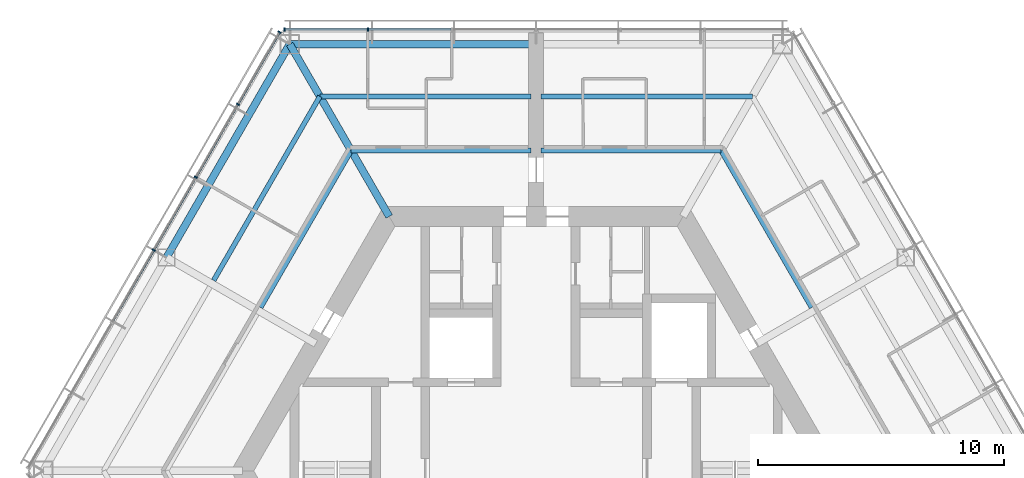
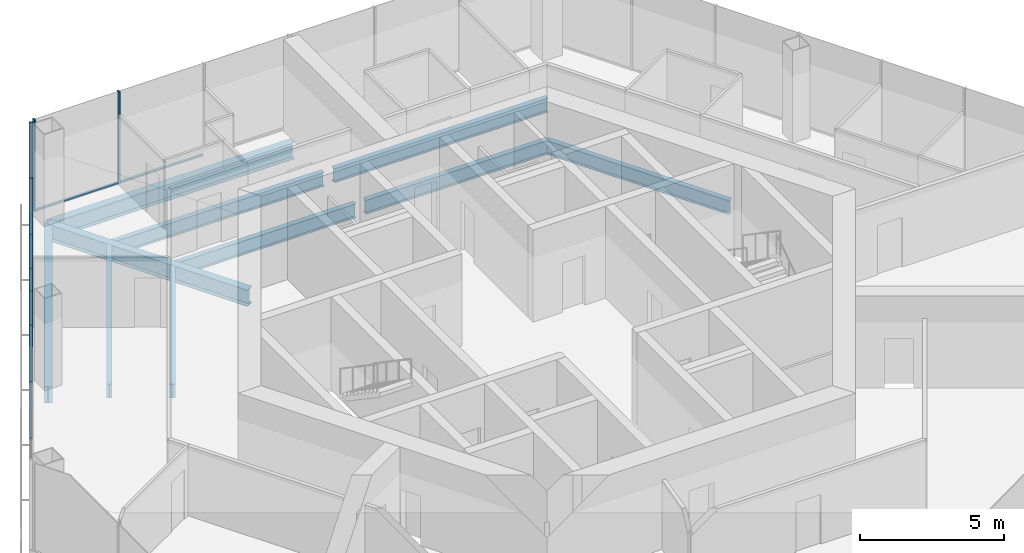
# One storey, part 6 of 15: 12 members, 10 beams, 2 elements without a shape of their own.
"""IFC4 building model written with IfcOpenShell, lengths in metres."""

import ifcopenshell
import ifcopenshell.guid

model = None  # the IFC model being written
_history = None  # IfcOwnerHistory: only IFC2X3 demands one
_inside = {}  # id of a spatial element -> (the spatial element, [elements in it])
_under = {}  # id of a project, library or spatial element -> (it, [spatial elements below it])
_declared = {}  # id of a project -> (the project, [libraries it declares])
_typed = {}  # id of a type object -> (the type object, [elements of that type])
_made_of = {}  # id of a material, layer set ... -> (it, [elements and type objects made of it])


def new_model(schema):
    """Start an empty IFC model of exactly this schema.

    Asked for "IFC4X3", IfcOpenShell would pick the latest addendum, in which some entities
    have other attributes; the version numbers below select the first issue.
    IFC2X3 requires an IfcOwnerHistory on every rooted entity: one is made here for all.
    """
    global model, _history
    if schema == "IFC4X3":
        model = ifcopenshell.file(schema_version=(4, 3, 0, 0))
    else:
        model = ifcopenshell.file(schema=schema)
    _inside.clear()
    _under.clear()
    _declared.clear()
    _typed.clear()
    _made_of.clear()
    _history = None
    if model.schema == "IFC2X3":
        org = make("IfcOrganization", Name="unknown")
        user = make(
            "IfcPersonAndOrganization",
            ThePerson=make("IfcPerson", FamilyName="unknown"),
            TheOrganization=org,
        )
        app = make(
            "IfcApplication",
            ApplicationDeveloper=org,
            Version="unknown",
            ApplicationFullName="unknown",
            ApplicationIdentifier="unknown",
        )
        _history = make(
            "IfcOwnerHistory",
            OwningUser=user,
            OwningApplication=app,
            ChangeAction="ADDED",
            CreationDate=0,
        )
    return model


def make(cls, **values):
    """One entity of the class cls with the attributes given. An attribute that is None is left unset."""
    return model.create_entity(
        cls, **{name: value for name, value in values.items() if value is not None}
    )


def rooted(cls, **values):
    """An entity with a GlobalId (a new one), such as an element, a storey or a relation."""
    return make(cls, GlobalId=ifcopenshell.guid.new(), OwnerHistory=_history, **values)


def si_unit(unit_type, name, prefix=None):
    """IfcSIUnit, for example si_unit("LENGTHUNIT", "METRE", prefix="MILLI")."""
    return make("IfcSIUnit", UnitType=unit_type, Prefix=prefix, Name=name)


def assignment(units):
    """IfcUnitAssignment: the units of a project."""
    return None if units is None else make("IfcUnitAssignment", Units=units)


def point(xyz):
    """IfcCartesianPoint."""
    return None if xyz is None else make("IfcCartesianPoint", Coordinates=xyz)


def direction(xyz):
    """IfcDirection."""
    return None if xyz is None else make("IfcDirection", DirectionRatios=xyz)


def frame(location, z_axis=None, x_axis=None):
    """IfcAxis2Placement3D, a coordinate frame: its origin and axes. An axis left out is left unset."""
    return make(
        "IfcAxis2Placement3D",
        Location=point(location),
        Axis=direction(z_axis),
        RefDirection=direction(x_axis),
    )


def frame_2d(location, x_axis=None):
    """IfcAxis2Placement2D, a coordinate frame in the plane: its origin and x axis."""
    return make(
        "IfcAxis2Placement2D", Location=point(location), RefDirection=direction(x_axis)
    )


def origin():
    """The frame at (0, 0, 0) with its axes left unset."""
    return frame((0.0, 0.0, 0.0))


def origin_2d():
    """The frame at (0, 0) in the plane with its x axis left unset."""
    return frame_2d((0.0, 0.0))


def place(relative_to, where):
    """IfcLocalPlacement: puts the frame where relative to a parent placement (None: the world)."""
    return make(
        "IfcLocalPlacement", PlacementRelTo=relative_to, RelativePlacement=where
    )


def context(
    kind, dimensions, precision=None, world=None, true_north=None, identifier=None
):
    """IfcGeometricRepresentationContext, for example the 3D "Model" context."""
    return make(
        "IfcGeometricRepresentationContext",
        ContextIdentifier=identifier,
        ContextType=kind,
        CoordinateSpaceDimension=dimensions,
        Precision=precision,
        WorldCoordinateSystem=world,
        TrueNorth=true_north,
    )


def subcontext(parent, identifier, kind, view, scale=None):
    """IfcGeometricRepresentationSubContext, for example "Body" below "Model"."""
    return make(
        "IfcGeometricRepresentationSubContext",
        ContextIdentifier=identifier,
        ContextType=kind,
        ParentContext=parent,
        TargetScale=scale,
        TargetView=view,
    )


def project(units=None, contexts=None):
    """IfcProject with its units and contexts."""
    return rooted(
        "IfcProject",
        Name="project",
        RepresentationContexts=contexts,
        UnitsInContext=assignment(units),
    )


def spatial(cls, under=None, at=None, **own):
    """A site, building, storey or space (cls), placed at a placement, below another one or the project."""
    s = rooted(cls, ObjectPlacement=at, **own)
    if under is not None:
        _under.setdefault(under.id(), (under, []))[1].append(s)
    return s


def profile(cls, at=None, kind="AREA", **sizes):
    """A parametric profile (cls). Its sizes go by their IFC names, for example OverallWidth=200.0."""
    return make(cls, ProfileType=kind, Position=at, **sizes)


def rectangle(**sizes):
    """IfcRectangleProfileDef."""
    return profile("IfcRectangleProfileDef", **sizes)


def i_section(**sizes):
    """IfcIShapeProfileDef."""
    return profile("IfcIShapeProfileDef", **sizes)


def extrude(swept, where, along, depth):
    """IfcExtrudedAreaSolid: the profile swept, set in the frame where, extruded along a direction by depth."""
    return make(
        "IfcExtrudedAreaSolid",
        SweptArea=swept,
        Position=where,
        ExtrudedDirection=direction(along),
        Depth=depth,
    )


def shape(context_of_items, identifier, shape_type, items):
    """IfcShapeRepresentation: the items that make up one representation, for example the "Body"."""
    return make(
        "IfcShapeRepresentation",
        ContextOfItems=context_of_items,
        RepresentationIdentifier=identifier,
        RepresentationType=shape_type,
        Items=items,
    )


def material(Name=None, Category=None):
    """IfcMaterial."""
    return make("IfcMaterial", Name=Name, Category=Category)


def material_profile(
    of_material, cross_section, Name=None, Category=None, Priority=None
):
    """IfcMaterialProfile: a cross section and its material."""
    return make(
        "IfcMaterialProfile",
        Name=Name,
        Material=of_material,
        Profile=cross_section,
        Priority=Priority,
        Category=Category,
    )


def profile_set(profiles, Name=None, composite=None):
    """IfcMaterialProfileSet."""
    return make(
        "IfcMaterialProfileSet",
        Name=Name,
        MaterialProfiles=profiles,
        CompositeProfile=composite,
    )


def made_of(thing, what):
    """Note that an element or type object is made of a material, layer set ...; save() writes the relation."""
    if what is not None:
        _made_of.setdefault(what.id(), (what, []))[1].append(thing)
    return thing


def type_object(cls, material=None, **own):
    """A type object (cls), such as IfcWallType, which elements share."""
    return made_of(rooted(cls, **own), material)


def element(
    cls,
    number,
    at=None,
    inside=None,
    cuts=None,
    type_object=None,
    material=None,
    context=None,
    identifier="Body",
    shape_type=None,
    held_by="IfcProductDefinitionShape",
    body=None,
    shapes=None,
    **own,
):
    """One element of the class cls, such as IfcWall. Its Tag is "e" and its number.

    at: its placement. inside: the storey or other place that contains it. cuts: it is an
    opening in that element (IfcRelVoidsElement). A single representation is given by context,
    identifier, shape_type and body (its items); several are given by shapes. held_by: the class
    of the entity that holds the representations. save() writes the other relations.
    """
    e = rooted(cls, Tag="e%d" % number, ObjectPlacement=at, **own)
    if body is not None:
        shapes = [shape(context, identifier, shape_type, body)]
    if shapes is not None:
        e.Representation = make(held_by, Representations=shapes)
    if inside is not None:
        _inside.setdefault(inside.id(), (inside, []))[1].append(e)
    if cuts is not None:
        rooted(
            "IfcRelVoidsElement", RelatingBuildingElement=cuts, RelatedOpeningElement=e
        )
    if type_object is not None:
        _typed.setdefault(type_object.id(), (type_object, []))[1].append(e)
    return made_of(e, material)


def aggregate(whole, parts):
    """IfcRelAggregates: a whole, such as a stair, and the parts it consists of."""
    return rooted("IfcRelAggregates", RelatingObject=whole, RelatedObjects=parts)


def save(model, path):
    """Write the relations noted so far, then the file.

    IfcRelAggregates (storeys below a building ...), IfcRelContainedInSpatialStructure (elements
    in a storey), IfcRelDefinesByType, IfcRelAssociatesMaterial and IfcRelDeclares: one each for
    every whole, place, type object, material and project.
    """
    for whole, parts in _under.values():
        aggregate(whole, parts)
    for where, things in _inside.values():
        rooted(
            "IfcRelContainedInSpatialStructure",
            RelatedElements=things,
            RelatingStructure=where,
        )
    for kind, things in _typed.values():
        rooted("IfcRelDefinesByType", RelatedObjects=things, RelatingType=kind)
    for what, things in _made_of.values():
        rooted("IfcRelAssociatesMaterial", RelatedObjects=things, RelatingMaterial=what)
    for by, libraries in _declared.values():
        rooted("IfcRelDeclares", RelatingContext=by, RelatedDefinitions=libraries)
    model.write(path)


model = new_model("IFC4")

# Units and contexts
model_context = context("Model", 3, precision=1e-05, world=origin(), true_north=direction((0.0, 1.0)))
body_context = subcontext(model_context, "Body", "Model", "MODEL_VIEW")
ifc_project = project(units=[si_unit("LENGTHUNIT", "METRE"), si_unit("AREAUNIT", "SQUARE_METRE"), si_unit("VOLUMEUNIT", "CUBIC_METRE"), si_unit("PLANEANGLEUNIT", "RADIAN"), si_unit("MASSUNIT", "GRAM", prefix="KILO")], contexts=[model_context])

# Site, building, storey
site_placement = place(None, origin())
site = spatial("IfcSite", under=ifc_project, at=site_placement, CompositionType="ELEMENT")
building_placement = place(site_placement, origin())
building = spatial("IfcBuilding", under=site, at=building_placement, Name="Kasaneha Research Tower", CompositionType="ELEMENT")
storey_placement = place(building_placement, frame((0.0, 0.0, 220.60009765625)))
storey = spatial("IfcBuildingStorey", under=building, at=storey_placement, Name="L55", CompositionType="ELEMENT", Elevation=220.60009765625)

# Beams
ifc_material_1 = material(Name="Steel SN490B", Category="steel")
ifc_material_profile_1 = material_profile(ifc_material_1, i_section(OverallWidth=0.199951171875, OverallDepth=0.60009765625, WebThickness=0.010986328125, FlangeThickness=0.01708984375, FilletRadius=0.012939453125, at=origin_2d()), Name="H-600x200x11x17")
ifc_profile_set_1 = profile_set([ifc_material_profile_1], Name="Steel SN490B")
beam_type_1 = type_object("IfcBeamType", Name="B1-3 secondary beam H-600x200x11x17", PredefinedType="JOIST", material=ifc_profile_set_1)
beam_1_placement = place(storey_placement, frame((7.505615234375, 13.0, -0.4501953125), z_axis=(0.499994443168, -0.866028611999, 0.0), x_axis=(0.866028611999, 0.499994443168, 0.0)))
element("IfcBeam", 1, at=beam_1_placement, inside=storey, type_object=beam_type_1, Name="Secondary beam RS030R1 L55", PredefinedType="JOIST", context=body_context, shape_type="SweptSolid", body=[
    extrude(i_section(OverallWidth=0.199951171875, OverallDepth=0.60009765625, WebThickness=0.010986328125, FlangeThickness=0.01708984375, FilletRadius=0.012939453125, at=origin_2d()), origin(), (0.0, 0.0, 1.0), 7.35546875),
])
beam_2_placement = place(storey_placement, frame((7.505615234375, 13.0, -0.4501953125), z_axis=(-1.0, 0.0, 0.0), x_axis=(0.0, -1.0, 0.0)))
element("IfcBeam", 2, at=beam_2_placement, inside=storey, type_object=beam_type_1, Name="Secondary beam RS090L1 L55", PredefinedType="JOIST", context=body_context, shape_type="SweptSolid", body=[
    extrude(i_section(OverallWidth=0.199951171875, OverallDepth=0.60009765625, WebThickness=0.010986328125, FlangeThickness=0.01708984375, FilletRadius=0.012939453125, at=origin_2d()), origin(), (0.0, 0.0, 1.0), 7.3056640625),
])
beam_3_placement = place(storey_placement, frame((8.775634765625, 15.199951171875, -0.4501953125), z_axis=(-1.0, 0.0, 0.0), x_axis=(0.0, -1.0, 0.0)))
element("IfcBeam", 3, at=beam_3_placement, inside=storey, type_object=beam_type_1, Name="Secondary beam RS090L2 L55", PredefinedType="JOIST", context=body_context, shape_type="SweptSolid", body=[
    extrude(i_section(OverallWidth=0.199951171875, OverallDepth=0.60009765625, WebThickness=0.010986328125, FlangeThickness=0.01708984375, FilletRadius=0.012939453125, at=origin_2d()), origin(), (0.0, 0.0, 1.0), 8.57568359375),
])
beam_4_placement = place(storey_placement, frame((-7.505615234375, 13.0, -0.4501953125), z_axis=(1.0, 0.0, 0.0), x_axis=(0.0, 1.0, 0.0)))
element("IfcBeam", 4, at=beam_4_placement, inside=storey, type_object=beam_type_1, Name="Secondary beam RS090R1 L55", PredefinedType="JOIST", context=body_context, shape_type="SweptSolid", body=[
    extrude(i_section(OverallWidth=0.199951171875, OverallDepth=0.60009765625, WebThickness=0.010986328125, FlangeThickness=0.01708984375, FilletRadius=0.012939453125, at=origin_2d()), origin(), (0.0, 0.0, 1.0), 7.3056640625),
])
beam_5_placement = place(storey_placement, frame((-8.775634765625, 15.199951171875, -0.4501953125), z_axis=(1.0, 0.0, 0.0), x_axis=(0.0, 1.0, 0.0)))
element("IfcBeam", 5, at=beam_5_placement, inside=storey, type_object=beam_type_1, Name="Secondary beam RS090R2 L55", PredefinedType="JOIST", context=body_context, shape_type="SweptSolid", body=[
    extrude(i_section(OverallWidth=0.199951171875, OverallDepth=0.60009765625, WebThickness=0.010986328125, FlangeThickness=0.01708984375, FilletRadius=0.012939453125, at=origin_2d()), origin(), (0.0, 0.0, 1.0), 8.57568359375),
])
beam_6_placement = place(storey_placement, frame((-7.505615234375, 13.0, -0.4501953125), z_axis=(-0.499994443168, -0.866028611999, 0.0), x_axis=(0.866028611999, -0.499994443168, 0.0)))
element("IfcBeam", 6, at=beam_6_placement, inside=storey, type_object=beam_type_1, Name="Secondary beam RS150L1 L55", PredefinedType="JOIST", context=body_context, shape_type="SweptSolid", body=[
    extrude(i_section(OverallWidth=0.199951171875, OverallDepth=0.60009765625, WebThickness=0.010986328125, FlangeThickness=0.01708984375, FilletRadius=0.012939453125, at=origin_2d()), origin(), (0.0, 0.0, 1.0), 7.35546875),
])
beam_7_placement = place(storey_placement, frame((-8.775634765625, 15.199951171875, -0.4501953125), z_axis=(-0.500017275495, -0.866015429543, 0.0), x_axis=(0.866015429543, -0.500017275495, 0.0)))
element("IfcBeam", 7, at=beam_7_placement, inside=storey, type_object=beam_type_1, Name="Secondary beam RS150L2 L55", PredefinedType="JOIST", context=body_context, shape_type="SweptSolid", body=[
    extrude(i_section(OverallWidth=0.199951171875, OverallDepth=0.60009765625, WebThickness=0.010986328125, FlangeThickness=0.01708984375, FilletRadius=0.012939453125, at=origin_2d()), origin(), (0.0, 0.0, 1.0), 8.625732421875),
])

# Curtain wall, members
ifc_material_2 = material(Name="Glass and aluminium", Category="aluminium")
curtain_wall_type = type_object("IfcCurtainWallType", Name="High-rise office curtain wall", PredefinedType="USERDEFINED", material=ifc_material_2)
curtain_wall_1_placement = place(storey_placement, origin())
curtain_wall_1 = element("IfcCurtainWall", 8, at=curtain_wall_1_placement, inside=storey, type_object=curtain_wall_type, Name="CW-O3 L55 run 02a", ObjectType="UNITISED CURTAIN WALL", PredefinedType="USERDEFINED")
ifc_material_3 = material(Name="Aluminium 6063-T6", Category="aluminium")
ifc_material_profile_2 = material_profile(ifc_material_3, rectangle(XDim=0.06005859375, YDim=0.139892578125, at=origin_2d()), Name="CW-O3 mullion 60x140")
ifc_profile_set_2 = profile_set([ifc_material_profile_2], Name="Aluminium 6063-T6")
member_type_1 = type_object("IfcMemberType", Name="CW-O3 mullion", PredefinedType="MULLION", material=ifc_profile_set_2)
member_1_placement = place(storey_placement, frame((-6.8310546875, 17.92041015625, 0.0), z_axis=(0.0, 0.0, 1.0), x_axis=(-1.0, 0.0, 0.0)))
member_1 = element("IfcMember", 9, at=member_1_placement, type_object=member_type_1, Name="CW-O3 mullion 6", PredefinedType="MULLION", context=body_context, shape_type="SweptSolid", body=[
    extrude(rectangle(XDim=0.06005859375, YDim=0.139892578125, at=origin_2d()), origin(), (0.0, 0.0, 1.0), 3.89990234375),
])
member_2_placement = place(storey_placement, frame((-10.21630859375, 17.92041015625, 0.0), z_axis=(0.0, 0.0, 1.0), x_axis=(-1.0, 0.0, 0.0)))
member_2 = element("IfcMember", 10, at=member_2_placement, type_object=member_type_1, Name="CW-O3 mullion 7", PredefinedType="MULLION", context=body_context, shape_type="SweptSolid", body=[
    extrude(rectangle(XDim=0.06005859375, YDim=0.139892578125, at=origin_2d()), origin(), (0.0, 0.0, 1.0), 3.89990234375),
])

curtain_wall_2_placement = place(storey_placement, origin())
curtain_wall_2 = element("IfcCurtainWall", 11, at=curtain_wall_2_placement, inside=storey, type_object=curtain_wall_type, Name="CW-O3 L55 run 03a", ObjectType="UNITISED CURTAIN WALL", PredefinedType="USERDEFINED")
member_3_placement = place(storey_placement, frame((-10.411376953125, 17.807861328125, 0.0), z_axis=(0.0, 0.0, 1.0), x_axis=(-0.499999995722, -0.866025406254, 0.0)))
member_3 = element("IfcMember", 12, at=member_3_placement, type_object=member_type_1, Name="CW-O3 mullion 1", PredefinedType="MULLION", context=body_context, shape_type="SweptSolid", body=[
    extrude(rectangle(XDim=0.06005859375, YDim=0.139892578125, at=origin_2d()), origin(), (0.0, 0.0, 1.0), 3.89990234375),
])
member_4_placement = place(storey_placement, frame((-12.104248046875, 14.8759765625, 0.0), z_axis=(0.0, 0.0, 1.0), x_axis=(-0.499999995722, -0.866025406254, 0.0)))
member_4 = element("IfcMember", 13, at=member_4_placement, type_object=member_type_1, Name="CW-O3 mullion 2", PredefinedType="MULLION", context=body_context, shape_type="SweptSolid", body=[
    extrude(rectangle(XDim=0.06005859375, YDim=0.139892578125, at=origin_2d()), origin(), (0.0, 0.0, 1.0), 3.89990234375),
])
member_5_placement = place(storey_placement, frame((-13.811767578125, 11.918212890625, 0.0), z_axis=(0.0, 0.0, 1.0), x_axis=(-0.499999995722, -0.866025406254, 0.0)))
member_5 = element("IfcMember", 14, at=member_5_placement, type_object=member_type_1, Name="CW-O3 mullion 3", PredefinedType="MULLION", context=body_context, shape_type="SweptSolid", body=[
    extrude(rectangle(XDim=0.06005859375, YDim=0.139892578125, at=origin_2d()), origin(), (0.0, 0.0, 1.0), 3.89990234375),
])
member_6_placement = place(storey_placement, frame((-15.51953125, 8.960205078125, 0.0), z_axis=(0.0, 0.0, 1.0), x_axis=(-0.499999995722, -0.866025406254, 0.0)))
member_6 = element("IfcMember", 15, at=member_6_placement, type_object=member_type_1, Name="CW-O3 mullion 4", PredefinedType="MULLION", context=body_context, shape_type="SweptSolid", body=[
    extrude(rectangle(XDim=0.06005859375, YDim=0.139892578125, at=origin_2d()), origin(), (0.0, 0.0, 1.0), 3.89990234375),
])

# Member
ifc_material_4 = material(Name="Aluminium 6063-T6", Category="aluminium")
ifc_material_profile_3 = material_profile(ifc_material_4, rectangle(XDim=0.10009765625, YDim=0.06005859375, at=origin_2d()), Name="CW-O3 transom 100x60")
ifc_profile_set_3 = profile_set([ifc_material_profile_3], Name="Aluminium 6063-T6")
member_type_2 = type_object("IfcMemberType", Name="CW-O3 transom", PredefinedType="USERDEFINED", material=ifc_profile_set_3)
member_7_placement = place(storey_placement, frame((-3.445556640625, 17.92041015625, 0.02978515625), z_axis=(-1.0, 0.0, 0.0), x_axis=(0.0, -1.0, 0.0)))
member_7 = element("IfcMember", 16, at=member_7_placement, type_object=member_type_2, Name="CW-O3 transom 5", ObjectType="TRANSOM", PredefinedType="USERDEFINED", context=body_context, shape_type="SweptSolid", body=[
    extrude(rectangle(XDim=0.10009765625, YDim=0.06005859375, at=origin_2d()), origin(), (0.0, 0.0, 1.0), 3.35546875),
])

member_8_placement = place(storey_placement, frame((-6.86083984375, 17.92041015625, 0.02978515625), z_axis=(-1.0, 0.0, 0.0), x_axis=(0.0, -1.0, 0.0)))
member_8 = element("IfcMember", 17, at=member_8_placement, type_object=member_type_2, Name="CW-O3 transom 6", ObjectType="TRANSOM", PredefinedType="USERDEFINED", context=body_context, shape_type="SweptSolid", body=[
    extrude(rectangle(XDim=0.10009765625, YDim=0.06005859375, at=origin_2d()), origin(), (0.0, 0.0, 1.0), 3.32568359375),
])

aggregate(curtain_wall_1, [member_1, member_2, member_7, member_8])

member_9_placement = place(storey_placement, frame((-10.426513671875, 17.781982421875, 0.02978515625), z_axis=(-0.49997666526, -0.866038875684, 0.0), x_axis=(0.866038875684, -0.49997666526, 0.0)))
member_9 = element("IfcMember", 18, at=member_9_placement, type_object=member_type_2, Name="CW-O3 transom 1", ObjectType="TRANSOM", PredefinedType="USERDEFINED", context=body_context, shape_type="SweptSolid", body=[
    extrude(rectangle(XDim=0.10009765625, YDim=0.06005859375, at=origin_2d()), origin(), (0.0, 0.0, 1.0), 3.325439453125),
])

member_10_placement = place(storey_placement, frame((-12.119140625, 14.85009765625, 0.02978515625), z_axis=(-0.499989072476, -0.866031712701, 0.0), x_axis=(0.866031712701, -0.499989072476, 0.0)))
member_10 = element("IfcMember", 19, at=member_10_placement, type_object=member_type_2, Name="CW-O3 transom 2", ObjectType="TRANSOM", PredefinedType="USERDEFINED", context=body_context, shape_type="SweptSolid", body=[
    extrude(rectangle(XDim=0.10009765625, YDim=0.06005859375, at=origin_2d()), origin(), (0.0, 0.0, 1.0), 3.35546875),
])

member_11_placement = place(storey_placement, frame((-13.826904296875, 11.89208984375, 0.02978515625), z_axis=(-0.500020578564, -0.866013522419, 0.0), x_axis=(0.866013522419, -0.500020578564, 0.0)))
member_11 = element("IfcMember", 20, at=member_11_placement, type_object=member_type_2, Name="CW-O3 transom 3", ObjectType="TRANSOM", PredefinedType="USERDEFINED", context=body_context, shape_type="SweptSolid", body=[
    extrude(rectangle(XDim=0.10009765625, YDim=0.06005859375, at=origin_2d()), origin(), (0.0, 0.0, 1.0), 3.355224609375),
])

member_12_placement = place(storey_placement, frame((-15.53466796875, 8.934326171875, 0.02978515625), z_axis=(-0.499989072476, -0.866031712701, 0.0), x_axis=(0.866031712701, -0.499989072476, 0.0)))
member_12 = element("IfcMember", 21, at=member_12_placement, type_object=member_type_2, Name="CW-O3 transom 4", ObjectType="TRANSOM", PredefinedType="USERDEFINED", context=body_context, shape_type="SweptSolid", body=[
    extrude(rectangle(XDim=0.10009765625, YDim=0.06005859375, at=origin_2d()), origin(), (0.0, 0.0, 1.0), 3.35546875),
])

aggregate(curtain_wall_2, [member_3, member_4, member_5, member_6, member_9, member_10, member_11, member_12])

# Beams
ifc_material_5 = material(Name="Steel SN490B", Category="steel")
ifc_material_profile_4 = material_profile(ifc_material_5, i_section(OverallWidth=0.300048828125, OverallDepth=0.699951171875, WebThickness=0.012939453125, FlangeThickness=0.02392578125, FilletRadius=0.01806640625, at=origin_2d()), Name="H-700x300x13x24")
ifc_profile_set_4 = profile_set([ifc_material_profile_4], Name="Steel SN490B")
beam_type_2 = type_object("IfcBeamType", Name="G1-3 radial girder H-700x300x13x24", PredefinedType="BEAM", material=ifc_profile_set_4)
beam_8_placement = place(storey_placement, frame((-5.961181640625, 10.324951171875, -0.5), z_axis=(-0.49999105496, 0.866030568144, 0.0), x_axis=(-0.866030568144, -0.49999105496, 0.0)))
element("IfcBeam", 22, at=beam_8_placement, inside=storey, type_object=beam_type_2, Name="Radial girder RV120 L55", PredefinedType="BEAM", context=body_context, shape_type="SweptSolid", body=[
    extrude(i_section(OverallWidth=0.300048828125, OverallDepth=0.699951171875, WebThickness=0.012939453125, FlangeThickness=0.02392578125, FilletRadius=0.01806640625, at=origin_2d()), origin(), (0.0, 0.0, 1.0), 8.077880859375),
])
ifc_material_6 = material(Name="Steel SN490B", Category="steel")
ifc_material_profile_5 = material_profile(ifc_material_6, i_section(OverallWidth=0.300048828125, OverallDepth=0.69189453125, WebThickness=0.012939453125, FlangeThickness=0.02001953125, FilletRadius=0.01806640625, at=origin_2d()), Name="H-692x300x13x20")
ifc_profile_set_5 = profile_set([ifc_material_profile_5], Name="Steel SN490B")
beam_type_3 = type_object("IfcBeamType", Name="G3-3 plate edge girder H-692x300x13x20", PredefinedType="BEAM", material=ifc_profile_set_5)
beam_9_placement = place(storey_placement, frame((-10.0, 17.320556640625, -0.49609375), z_axis=(1.0, 0.0, 0.0), x_axis=(0.0, 1.0, 0.0)))
element("IfcBeam", 23, at=beam_9_placement, inside=storey, type_object=beam_type_3, Name="Plate edge girder PEAN L55", PredefinedType="BEAM", context=body_context, shape_type="SweptSolid", body=[
    extrude(i_section(OverallWidth=0.300048828125, OverallDepth=0.69189453125, WebThickness=0.012939453125, FlangeThickness=0.02001953125, FilletRadius=0.01806640625, at=origin_2d()), origin(), (0.0, 0.0, 1.0), 9.800048828125),
])
ifc_material_7 = material(Name="Steel SN490B", Category="steel")
ifc_material_profile_6 = material_profile(ifc_material_7, i_section(OverallWidth=0.300048828125, OverallDepth=0.69189453125, WebThickness=0.012939453125, FlangeThickness=0.02001953125, FilletRadius=0.01806640625, at=origin_2d()), Name="H-692x300x13x20")
ifc_profile_set_6 = profile_set([ifc_material_profile_6], Name="Steel SN490B")
beam_type_4 = type_object("IfcBeamType", Name="SB1-3 spandrel beam H-692x300x13x20", PredefinedType="SPANDREL", material=ifc_profile_set_6)
beam_10_placement = place(storey_placement, frame((-10.0, 17.320556640625, -0.49609375), z_axis=(-0.499993662806, -0.866029062534, 0.0), x_axis=(0.866029062534, -0.499993662806, 0.0)))
element("IfcBeam", 24, at=beam_10_placement, inside=storey, type_object=beam_type_4, Name="Spandrel beam SR150L L55", PredefinedType="SPANDREL", context=body_context, shape_type="SweptSolid", body=[
    extrude(i_section(OverallWidth=0.300048828125, OverallDepth=0.69189453125, WebThickness=0.012939453125, FlangeThickness=0.02001953125, FilletRadius=0.01806640625, at=origin_2d()), origin(), (0.0, 0.0, 1.0), 10.000244140625),
])

save(model, "model.ifc")
